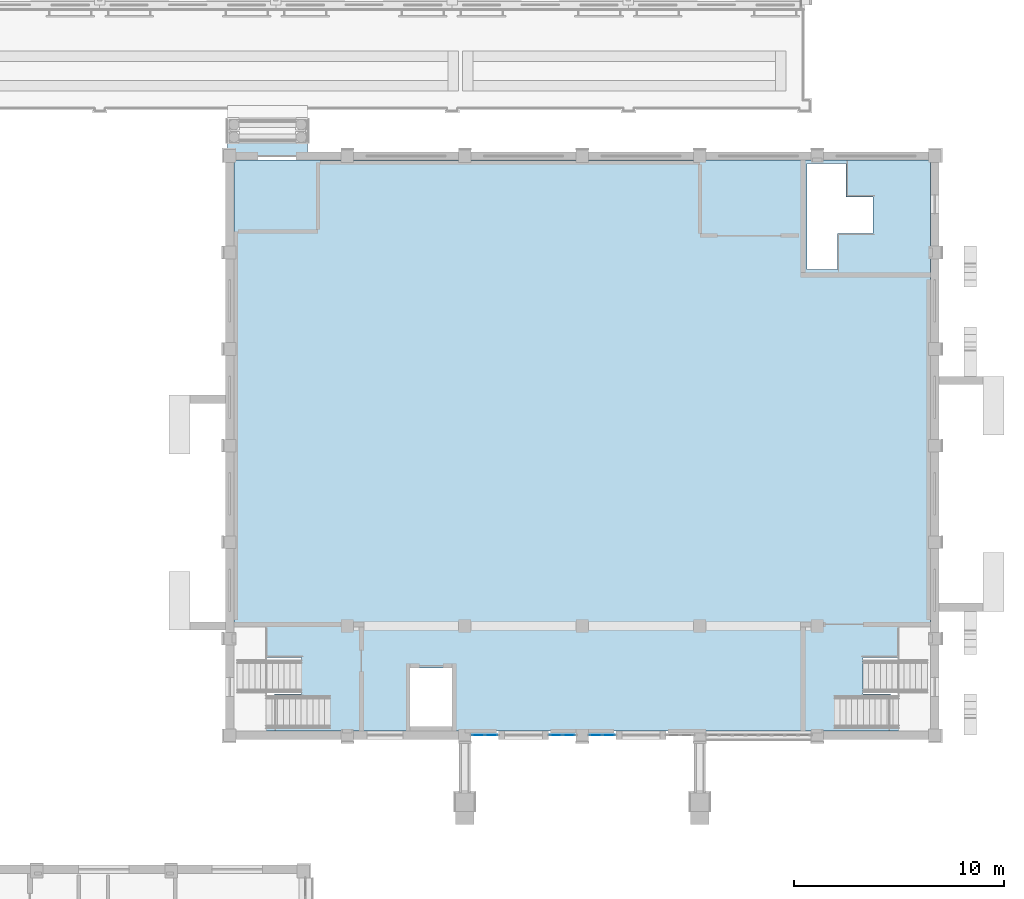
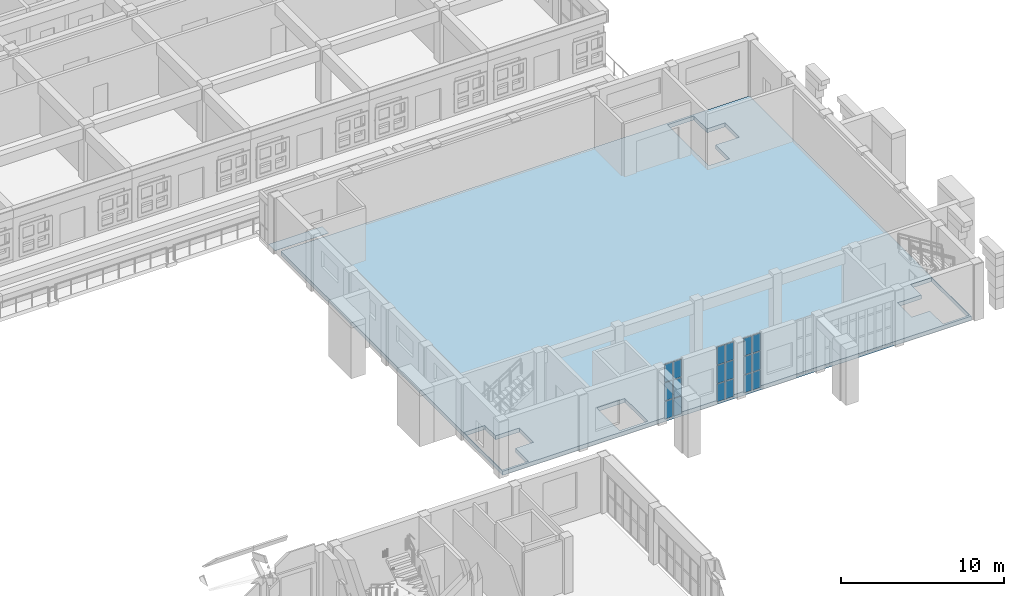
# One storey, part 45 of 99: 19 plates, 1 slab, 3 elements without a shape of their own.
"""IFC4 building model written with IfcOpenShell, lengths in metres."""

from ifc_helpers import new_model, si_unit, direction, frame, origin, origin_2d, place, context, subcontext, project, spatial, polyline, rectangle, outline, extrude, material, layer, layer_set, type_object, element, aggregate, save


model = new_model("IFC4")

# Units and contexts
model_context = context("Model", 3, precision=1e-05, world=origin(), true_north=direction((0.0, 1.0)))
body_context = subcontext(model_context, "Body", "Model", "MODEL_VIEW")
ifc_project = project(units=[si_unit("LENGTHUNIT", "METRE"), si_unit("AREAUNIT", "SQUARE_METRE"), si_unit("VOLUMEUNIT", "CUBIC_METRE"), si_unit("PLANEANGLEUNIT", "RADIAN"), si_unit("MASSUNIT", "GRAM", prefix="KILO")], contexts=[model_context])

# Site, building, storey
site_placement = place(None, origin())
site = spatial("IfcSite", under=ifc_project, at=site_placement, CompositionType="ELEMENT")
building_placement = place(site_placement, origin())
building = spatial("IfcBuilding", under=site, at=building_placement, Name="Wasatch Bagh Community Centre", CompositionType="ELEMENT")
storey_placement = place(building_placement, frame((0.0, 0.0, 4.199951171875)))
storey = spatial("IfcBuildingStorey", under=building, at=storey_placement, Name="L01", CompositionType="ELEMENT", Elevation=4.199951171875)

# Plate
ifc_material_1 = material(Name="Aluminium chequer plate", Category="aluminium")
ifc_layer_1 = layer(ifc_material_1, 0.008056640625)
ifc_layer_set_1 = layer_set([ifc_layer_1], Name="Aluminium chequer plate")
plate_type_1 = type_object("IfcPlateType", Name="PA-J1", PredefinedType="SHEET", material=ifc_layer_set_1)
plate_1_placement = place(storey_placement, frame((114.0, 66.199951171875, 0.0), z_axis=(0.0, 0.0, 1.0), x_axis=(1.0, 0.0, 0.0)))
element("IfcPlate", 1, at=plate_1_placement, inside=storey, type_object=plate_type_1, Name="joint cover plate PA3.1", PredefinedType="SHEET", context=body_context, shape_type="SweptSolid", body=[
    extrude(rectangle(XDim=3.800048828125, YDim=0.800048828125, at=origin_2d()), origin(), (0.0, 0.0, 1.0), 0.008056640625),
])

# Slab
ifc_material_2 = material(Name="Concrete C35", Category="concrete")
ifc_layer_2 = layer(ifc_material_2, 0.300048828125)
ifc_layer_set_2 = layer_set([ifc_layer_2], Name="Concrete C35")
slab_type = type_object("IfcSlabType", Name="SH floor slab 300", PredefinedType="FLOOR", material=ifc_layer_set_2)
slab_placement = place(storey_placement, frame((0.0, 0.0, -0.300048828125)))
element("IfcSlab", 2, at=slab_placement, inside=storey, type_object=slab_type, Name="SH.slab.L01.floor", PredefinedType="FLOOR", context=body_context, shape_type="SweptSolid", body=[
    extrude(outline(polyline([(112.39990234375, 38.39990234375), (145.60009765625, 38.39990234375), (145.60009765625, 65.60009765625), (112.39990234375, 65.60009765625), (112.39990234375, 38.39990234375)]), holes=[polyline([(114.320068359375, 38.550048828125), (112.449951171875, 38.550048828125), (112.449951171875, 43.199951171875), (113.919921875, 43.199951171875), (113.919921875, 41.89990234375), (115.610107421875, 41.89990234375), (115.610107421875, 40.14990234375), (114.320068359375, 40.14990234375), (114.320068359375, 38.550048828125)]), polyline([(143.679931640625, 38.550048828125), (145.550048828125, 38.550048828125), (145.550048828125, 43.199951171875), (144.080078125, 43.199951171875), (144.080078125, 41.89990234375), (142.389892578125, 41.89990234375), (142.389892578125, 40.14990234375), (143.679931640625, 40.14990234375), (143.679931640625, 38.550048828125)]), polyline([(141.570068359375, 65.449951171875), (139.699951171875, 65.449951171875), (139.699951171875, 60.39990234375), (141.169921875, 60.39990234375), (141.169921875, 62.10009765625), (142.860107421875, 62.10009765625), (142.860107421875, 63.85009765625), (141.570068359375, 63.85009765625), (141.570068359375, 65.449951171875)]), polyline([(120.800048828125, 38.60009765625), (122.800048828125, 38.60009765625), (122.800048828125, 41.39990234375), (120.800048828125, 41.39990234375), (120.800048828125, 38.60009765625)])]), origin(), (0.0, 0.0, 1.0), 0.300048828125),
])

# Curtain wall, plates
ifc_material_3 = material(Name="Aluminium alloy 6063-T6", Category="aluminium")
ifc_layer_3 = layer(ifc_material_3, 0.10009765625)
ifc_layer_set_3 = layer_set([ifc_layer_3], Name="Aluminium alloy 6063-T6")
curtain_wall_type = type_object("IfcCurtainWallType", Name="SH-CW1", PredefinedType="NOTDEFINED", material=ifc_layer_set_3)
curtain_wall_1_placement = place(storey_placement, origin())
curtain_wall_1 = element("IfcCurtainWall", 3, at=curtain_wall_1_placement, inside=storey, type_object=curtain_wall_type, Name="Curtain wall SH-CW1", PredefinedType="NOTDEFINED")
ifc_material_4 = material(Name="Laminated glass 8+8 mm", Category="glass")
ifc_layer_4 = layer(ifc_material_4, 0.028076171875)
ifc_layer_set_4 = layer_set([ifc_layer_4], Name="Laminated glass 8+8 mm")
plate_type_2 = type_object("IfcPlateType", Name="SH-CW1 panel", PredefinedType="CURTAIN_PANEL", material=ifc_layer_set_4)
plate_2_placement = place(storey_placement, frame((124.0400390625, 38.199951171875, 0.06005859375), z_axis=(0.0, 0.0, 1.0), x_axis=(1.0, 0.0, 0.0)))
plate_2 = element("IfcPlate", 4, at=plate_2_placement, type_object=plate_type_2, Name="SH-CW1 panel 1.1", PredefinedType="CURTAIN_PANEL", context=body_context, shape_type="SweptSolid", body=[
    extrude(rectangle(XDim=0.56005859375, YDim=0.028076171875, at=origin_2d()), origin(), (0.0, 0.0, 1.0), 1.31005859375),
])
plate_3_placement = place(storey_placement, frame((124.0400390625, 38.199951171875, 1.43017578125), z_axis=(0.0, 0.0, 1.0), x_axis=(1.0, 0.0, 0.0)))
plate_3 = element("IfcPlate", 5, at=plate_3_placement, type_object=plate_type_2, Name="SH-CW1 panel 1.2", PredefinedType="CURTAIN_PANEL", context=body_context, shape_type="SweptSolid", body=[
    extrude(rectangle(XDim=0.56005859375, YDim=0.028076171875, at=origin_2d()), origin(), (0.0, 0.0, 1.0), 1.340087890625),
])
plate_4_placement = place(storey_placement, frame((124.0400390625, 38.199951171875, 2.830078125), z_axis=(0.0, 0.0, 1.0), x_axis=(1.0, 0.0, 0.0)))
plate_4 = element("IfcPlate", 6, at=plate_4_placement, type_object=plate_type_2, Name="SH-CW1 panel 1.3", PredefinedType="CURTAIN_PANEL", context=body_context, shape_type="SweptSolid", body=[
    extrude(rectangle(XDim=0.56005859375, YDim=0.028076171875, at=origin_2d()), origin(), (0.0, 0.0, 1.0), 1.31005859375),
])
plate_5_placement = place(storey_placement, frame((124.659912109375, 38.199951171875, 0.06005859375), z_axis=(0.0, 0.0, 1.0), x_axis=(1.0, 0.0, 0.0)))
plate_5 = element("IfcPlate", 7, at=plate_5_placement, type_object=plate_type_2, Name="SH-CW1 panel 2.1", PredefinedType="CURTAIN_PANEL", context=body_context, shape_type="SweptSolid", body=[
    extrude(rectangle(XDim=0.56005859375, YDim=0.028076171875, at=origin_2d()), origin(), (0.0, 0.0, 1.0), 1.31005859375),
])
plate_6_placement = place(storey_placement, frame((124.659912109375, 38.199951171875, 1.43017578125), z_axis=(0.0, 0.0, 1.0), x_axis=(1.0, 0.0, 0.0)))
plate_6 = element("IfcPlate", 8, at=plate_6_placement, type_object=plate_type_2, Name="SH-CW1 panel 2.2", PredefinedType="CURTAIN_PANEL", context=body_context, shape_type="SweptSolid", body=[
    extrude(rectangle(XDim=0.56005859375, YDim=0.028076171875, at=origin_2d()), origin(), (0.0, 0.0, 1.0), 1.340087890625),
])
plate_7_placement = place(storey_placement, frame((124.659912109375, 38.199951171875, 2.830078125), z_axis=(0.0, 0.0, 1.0), x_axis=(1.0, 0.0, 0.0)))
plate_7 = element("IfcPlate", 9, at=plate_7_placement, type_object=plate_type_2, Name="SH-CW1 panel 2.3", PredefinedType="CURTAIN_PANEL", context=body_context, shape_type="SweptSolid", body=[
    extrude(rectangle(XDim=0.56005859375, YDim=0.028076171875, at=origin_2d()), origin(), (0.0, 0.0, 1.0), 1.31005859375),
])
aggregate(curtain_wall_1, [plate_2, plate_3, plate_4, plate_5, plate_6, plate_7])

curtain_wall_2_placement = place(storey_placement, origin())
curtain_wall_2 = element("IfcCurtainWall", 10, at=curtain_wall_2_placement, inside=storey, type_object=curtain_wall_type, Name="Curtain wall SH-CW1", PredefinedType="NOTDEFINED")
plate_8_placement = place(storey_placement, frame((127.739990234375, 38.199951171875, 0.06005859375), z_axis=(0.0, 0.0, 1.0), x_axis=(1.0, 0.0, 0.0)))
plate_8 = element("IfcPlate", 11, at=plate_8_placement, type_object=plate_type_2, Name="SH-CW1 panel 1.1", PredefinedType="CURTAIN_PANEL", context=body_context, shape_type="SweptSolid", body=[
    extrude(rectangle(XDim=0.56005859375, YDim=0.028076171875, at=origin_2d()), origin(), (0.0, 0.0, 1.0), 1.31005859375),
])
plate_9_placement = place(storey_placement, frame((127.739990234375, 38.199951171875, 1.43017578125), z_axis=(0.0, 0.0, 1.0), x_axis=(1.0, 0.0, 0.0)))
plate_9 = element("IfcPlate", 12, at=plate_9_placement, type_object=plate_type_2, Name="SH-CW1 panel 1.2", PredefinedType="CURTAIN_PANEL", context=body_context, shape_type="SweptSolid", body=[
    extrude(rectangle(XDim=0.56005859375, YDim=0.028076171875, at=origin_2d()), origin(), (0.0, 0.0, 1.0), 1.340087890625),
])
plate_10_placement = place(storey_placement, frame((127.739990234375, 38.199951171875, 2.830078125), z_axis=(0.0, 0.0, 1.0), x_axis=(1.0, 0.0, 0.0)))
plate_10 = element("IfcPlate", 13, at=plate_10_placement, type_object=plate_type_2, Name="SH-CW1 panel 1.3", PredefinedType="CURTAIN_PANEL", context=body_context, shape_type="SweptSolid", body=[
    extrude(rectangle(XDim=0.56005859375, YDim=0.028076171875, at=origin_2d()), origin(), (0.0, 0.0, 1.0), 1.31005859375),
])
plate_11_placement = place(storey_placement, frame((128.360107421875, 38.199951171875, 0.06005859375), z_axis=(0.0, 0.0, 1.0), x_axis=(1.0, 0.0, 0.0)))
plate_11 = element("IfcPlate", 14, at=plate_11_placement, type_object=plate_type_2, Name="SH-CW1 panel 2.1", PredefinedType="CURTAIN_PANEL", context=body_context, shape_type="SweptSolid", body=[
    extrude(rectangle(XDim=0.56005859375, YDim=0.028076171875, at=origin_2d()), origin(), (0.0, 0.0, 1.0), 1.31005859375),
])
plate_12_placement = place(storey_placement, frame((128.360107421875, 38.199951171875, 1.43017578125), z_axis=(0.0, 0.0, 1.0), x_axis=(1.0, 0.0, 0.0)))
plate_12 = element("IfcPlate", 15, at=plate_12_placement, type_object=plate_type_2, Name="SH-CW1 panel 2.2", PredefinedType="CURTAIN_PANEL", context=body_context, shape_type="SweptSolid", body=[
    extrude(rectangle(XDim=0.56005859375, YDim=0.028076171875, at=origin_2d()), origin(), (0.0, 0.0, 1.0), 1.340087890625),
])
plate_13_placement = place(storey_placement, frame((128.360107421875, 38.199951171875, 2.830078125), z_axis=(0.0, 0.0, 1.0), x_axis=(1.0, 0.0, 0.0)))
plate_13 = element("IfcPlate", 16, at=plate_13_placement, type_object=plate_type_2, Name="SH-CW1 panel 2.3", PredefinedType="CURTAIN_PANEL", context=body_context, shape_type="SweptSolid", body=[
    extrude(rectangle(XDim=0.56005859375, YDim=0.028076171875, at=origin_2d()), origin(), (0.0, 0.0, 1.0), 1.31005859375),
])
aggregate(curtain_wall_2, [plate_8, plate_9, plate_10, plate_11, plate_12, plate_13])

curtain_wall_3_placement = place(storey_placement, origin())
curtain_wall_3 = element("IfcCurtainWall", 17, at=curtain_wall_3_placement, inside=storey, type_object=curtain_wall_type, Name="Curtain wall SH-CW1", PredefinedType="NOTDEFINED")
plate_14_placement = place(storey_placement, frame((129.639892578125, 38.199951171875, 0.06005859375), z_axis=(0.0, 0.0, 1.0), x_axis=(1.0, 0.0, 0.0)))
plate_14 = element("IfcPlate", 18, at=plate_14_placement, type_object=plate_type_2, Name="SH-CW1 panel 1.1", PredefinedType="CURTAIN_PANEL", context=body_context, shape_type="SweptSolid", body=[
    extrude(rectangle(XDim=0.56005859375, YDim=0.028076171875, at=origin_2d()), origin(), (0.0, 0.0, 1.0), 1.31005859375),
])
plate_15_placement = place(storey_placement, frame((129.639892578125, 38.199951171875, 1.43017578125), z_axis=(0.0, 0.0, 1.0), x_axis=(1.0, 0.0, 0.0)))
plate_15 = element("IfcPlate", 19, at=plate_15_placement, type_object=plate_type_2, Name="SH-CW1 panel 1.2", PredefinedType="CURTAIN_PANEL", context=body_context, shape_type="SweptSolid", body=[
    extrude(rectangle(XDim=0.56005859375, YDim=0.028076171875, at=origin_2d()), origin(), (0.0, 0.0, 1.0), 1.340087890625),
])
plate_16_placement = place(storey_placement, frame((129.639892578125, 38.199951171875, 2.830078125), z_axis=(0.0, 0.0, 1.0), x_axis=(1.0, 0.0, 0.0)))
plate_16 = element("IfcPlate", 20, at=plate_16_placement, type_object=plate_type_2, Name="SH-CW1 panel 1.3", PredefinedType="CURTAIN_PANEL", context=body_context, shape_type="SweptSolid", body=[
    extrude(rectangle(XDim=0.56005859375, YDim=0.028076171875, at=origin_2d()), origin(), (0.0, 0.0, 1.0), 1.31005859375),
])
plate_17_placement = place(storey_placement, frame((130.260009765625, 38.199951171875, 0.06005859375), z_axis=(0.0, 0.0, 1.0), x_axis=(1.0, 0.0, 0.0)))
plate_17 = element("IfcPlate", 21, at=plate_17_placement, type_object=plate_type_2, Name="SH-CW1 panel 2.1", PredefinedType="CURTAIN_PANEL", context=body_context, shape_type="SweptSolid", body=[
    extrude(rectangle(XDim=0.56005859375, YDim=0.028076171875, at=origin_2d()), origin(), (0.0, 0.0, 1.0), 1.31005859375),
])
plate_18_placement = place(storey_placement, frame((130.260009765625, 38.199951171875, 1.43017578125), z_axis=(0.0, 0.0, 1.0), x_axis=(1.0, 0.0, 0.0)))
plate_18 = element("IfcPlate", 22, at=plate_18_placement, type_object=plate_type_2, Name="SH-CW1 panel 2.2", PredefinedType="CURTAIN_PANEL", context=body_context, shape_type="SweptSolid", body=[
    extrude(rectangle(XDim=0.56005859375, YDim=0.028076171875, at=origin_2d()), origin(), (0.0, 0.0, 1.0), 1.340087890625),
])
plate_19_placement = place(storey_placement, frame((130.260009765625, 38.199951171875, 2.830078125), z_axis=(0.0, 0.0, 1.0), x_axis=(1.0, 0.0, 0.0)))
plate_19 = element("IfcPlate", 23, at=plate_19_placement, type_object=plate_type_2, Name="SH-CW1 panel 2.3", PredefinedType="CURTAIN_PANEL", context=body_context, shape_type="SweptSolid", body=[
    extrude(rectangle(XDim=0.56005859375, YDim=0.028076171875, at=origin_2d()), origin(), (0.0, 0.0, 1.0), 1.31005859375),
])
aggregate(curtain_wall_3, [plate_14, plate_15, plate_16, plate_17, plate_18, plate_19])

save(model, "model.ifc")
